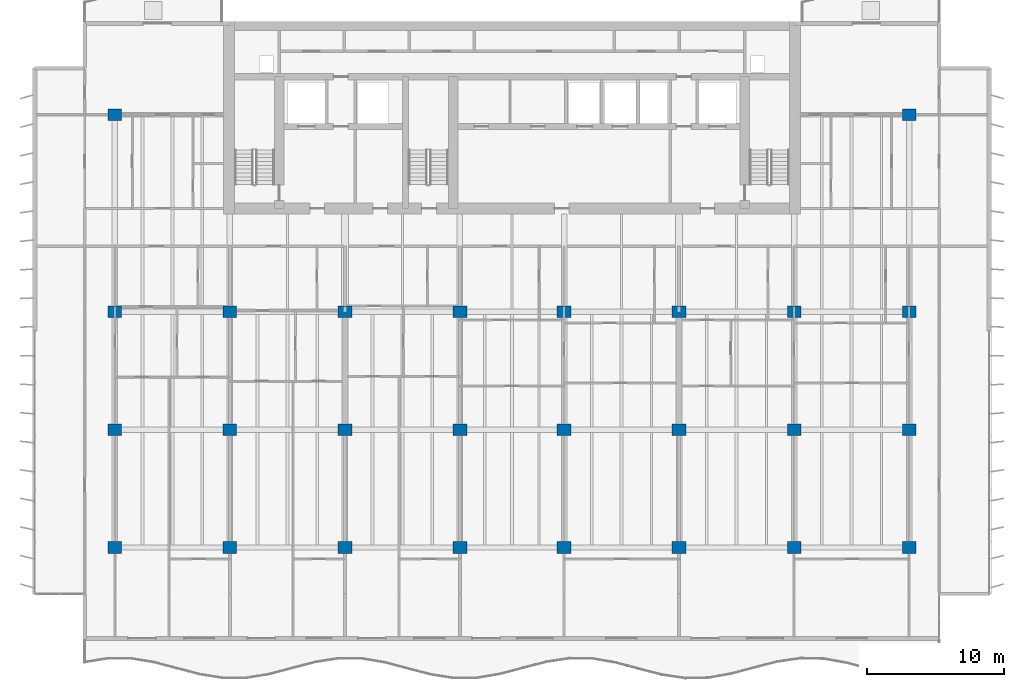
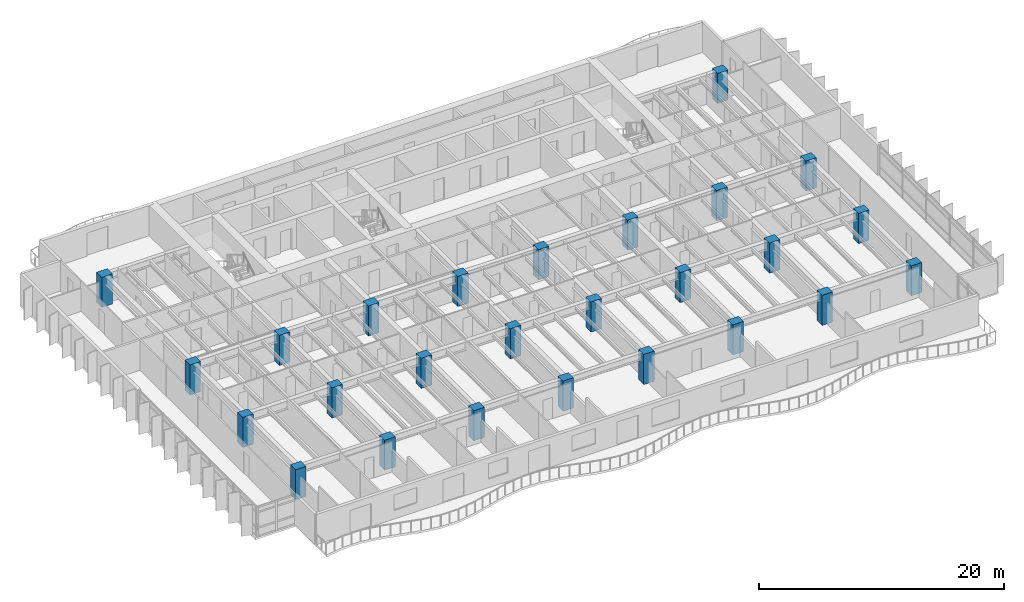
# One storey, part 1 of 16: 26 columns.
"""IFC4 building model written with IfcOpenShell, lengths in metres."""

from ifc_helpers import new_model, si_unit, direction, frame, origin, origin_2d, place, context, subcontext, project, spatial, rectangle, extrude, material, material_profile, profile_set, type_object, element, save


model = new_model("IFC4")

# Units and contexts
model_context = context("Model", 3, precision=1e-05, world=origin(), true_north=direction((0.0, 1.0)))
body_context = subcontext(model_context, "Body", "Model", "MODEL_VIEW")
ifc_project = project(units=[si_unit("LENGTHUNIT", "METRE"), si_unit("AREAUNIT", "SQUARE_METRE"), si_unit("VOLUMEUNIT", "CUBIC_METRE"), si_unit("PLANEANGLEUNIT", "RADIAN"), si_unit("MASSUNIT", "GRAM", prefix="KILO")], contexts=[model_context])

# Site, building, storey
site_placement = place(None, origin())
site = spatial("IfcSite", under=ifc_project, at=site_placement, CompositionType="ELEMENT")
building_placement = place(site_placement, origin())
building = spatial("IfcBuilding", under=site, at=building_placement, Name="Caelmar Bay Residences", CompositionType="ELEMENT")
storey_placement = place(building_placement, frame((0.0, 0.0, 148.800048828125)))
storey = spatial("IfcBuildingStorey", under=building, at=storey_placement, Name="L41", CompositionType="ELEMENT", Elevation=148.800048828125)

# Columns
ifc_material = material(Name="Concrete f'c 70 MPa (10,000 psi)", Category="concrete")
ifc_material_profile = material_profile(ifc_material, rectangle(XDim=1.0, YDim=0.85009765625, at=origin_2d()), Name="RC-COL-1000X850")
ifc_profile_set = profile_set([ifc_material_profile], Name="Concrete f'c 70 MPa (10,000 psi)")
column_type = type_object("IfcColumnType", Name="COL-RC-1000X850", PredefinedType="COLUMN", material=ifc_profile_set)
for number, where, z_axis, x_axis, name in (
    (1, (9.89990234375, 12.199951171875, 0.0), (0.0, 0.0, 1.0), (1.0, 0.0, 0.0), "L41 Column (9.90,12.20)"),
    (2, (18.300048828125, 12.199951171875, 0.0), (0.0, 0.0, 1.0), (1.0, 0.0, 0.0), "L41 Column (18.30,12.20)"),
    (3, (26.699951171875, 12.199951171875, 0.0), (0.0, 0.0, 1.0), (1.0, 0.0, 0.0), "L41 Column (26.70,12.20)"),
    (4, (35.10009765625, 12.199951171875, 0.0), (0.0, 0.0, 1.0), (1.0, 0.0, 0.0), "L41 Column (35.10,12.20)"),
    (5, (42.699951171875, 12.199951171875, 0.0), (0.0, 0.0, 1.0), (1.0, 0.0, 0.0), "L41 Column (42.70,12.20)"),
    (6, (51.10009765625, 12.199951171875, 0.0), (0.0, 0.0, 1.0), (1.0, 0.0, 0.0), "L41 Column (51.10,12.20)"),
    (7, (59.5, 12.199951171875, 0.0), (0.0, 0.0, 1.0), (1.0, 0.0, 0.0), "L41 Column (59.50,12.20)"),
    (8, (67.89990234375, 12.199951171875, 0.0), (0.0, 0.0, 1.0), (1.0, 0.0, 0.0), "L41 Column (67.90,12.20)"),
    (9, (9.89990234375, 20.800048828125, 0.0), (0.0, 0.0, 1.0), (1.0, 0.0, 0.0), "L41 Column (9.90,20.80)"),
    (10, (18.300048828125, 20.800048828125, 0.0), (0.0, 0.0, 1.0), (1.0, 0.0, 0.0), "L41 Column (18.30,20.80)"),
    (11, (26.699951171875, 20.800048828125, 0.0), (0.0, 0.0, 1.0), (1.0, 0.0, 0.0), "L41 Column (26.70,20.80)"),
    (12, (35.10009765625, 20.800048828125, 0.0), (0.0, 0.0, 1.0), (1.0, 0.0, 0.0), "L41 Column (35.10,20.80)"),
    (13, (42.699951171875, 20.800048828125, 0.0), (0.0, 0.0, 1.0), (1.0, 0.0, 0.0), "L41 Column (42.70,20.80)"),
    (14, (51.10009765625, 20.800048828125, 0.0), (0.0, 0.0, 1.0), (1.0, 0.0, 0.0), "L41 Column (51.10,20.80)"),
    (15, (59.5, 20.800048828125, 0.0), (0.0, 0.0, 1.0), (1.0, 0.0, 0.0), "L41 Column (59.50,20.80)"),
    (16, (67.89990234375, 20.800048828125, 0.0), (0.0, 0.0, 1.0), (1.0, 0.0, 0.0), "L41 Column (67.90,20.80)"),
    (17, (9.89990234375, 29.39990234375, 0.0), (0.0, 0.0, 1.0), (1.0, 0.0, 0.0), "L41 Column (9.90,29.40)"),
    (18, (18.300048828125, 29.39990234375, 0.0), (0.0, 0.0, 1.0), (1.0, 0.0, 0.0), "L41 Column (18.30,29.40)"),
    (19, (26.699951171875, 29.39990234375, 0.0), (0.0, 0.0, 1.0), (1.0, 0.0, 0.0), "L41 Column (26.70,29.40)"),
    (20, (35.10009765625, 29.39990234375, 0.0), (0.0, 0.0, 1.0), (1.0, 0.0, 0.0), "L41 Column (35.10,29.40)"),
    (21, (42.699951171875, 29.39990234375, 0.0), (0.0, 0.0, 1.0), (1.0, 0.0, 0.0), "L41 Column (42.70,29.40)"),
    (22, (51.10009765625, 29.39990234375, 0.0), (0.0, 0.0, 1.0), (1.0, 0.0, 0.0), "L41 Column (51.10,29.40)"),
    (23, (59.5, 29.39990234375, 0.0), (0.0, 0.0, 1.0), (1.0, 0.0, 0.0), "L41 Column (59.50,29.40)"),
    (24, (67.89990234375, 29.39990234375, 0.0), (0.0, 0.0, 1.0), (1.0, 0.0, 0.0), "L41 Column (67.90,29.40)"),
    (25, (9.89990234375, 43.800048828125, 0.0), (0.0, 0.0, 1.0), (1.0, 0.0, 0.0), "L41 Column (9.90,43.80)"),
    (26, (67.89990234375, 43.800048828125, 0.0), (0.0, 0.0, 1.0), (1.0, 0.0, 0.0), "L41 Column (67.90,43.80)"),
):
    element("IfcColumn", number, at=place(storey_placement, frame(where, z_axis=z_axis, x_axis=x_axis)), inside=storey, type_object=column_type, Name=name, PredefinedType="COLUMN", context=body_context, shape_type="SweptSolid", body=[
        extrude(rectangle(XDim=1.0, YDim=0.85009765625, at=origin_2d()), origin(), (0.0, 0.0, 1.0), 3.0),
    ])

save(model, "model.ifc")
